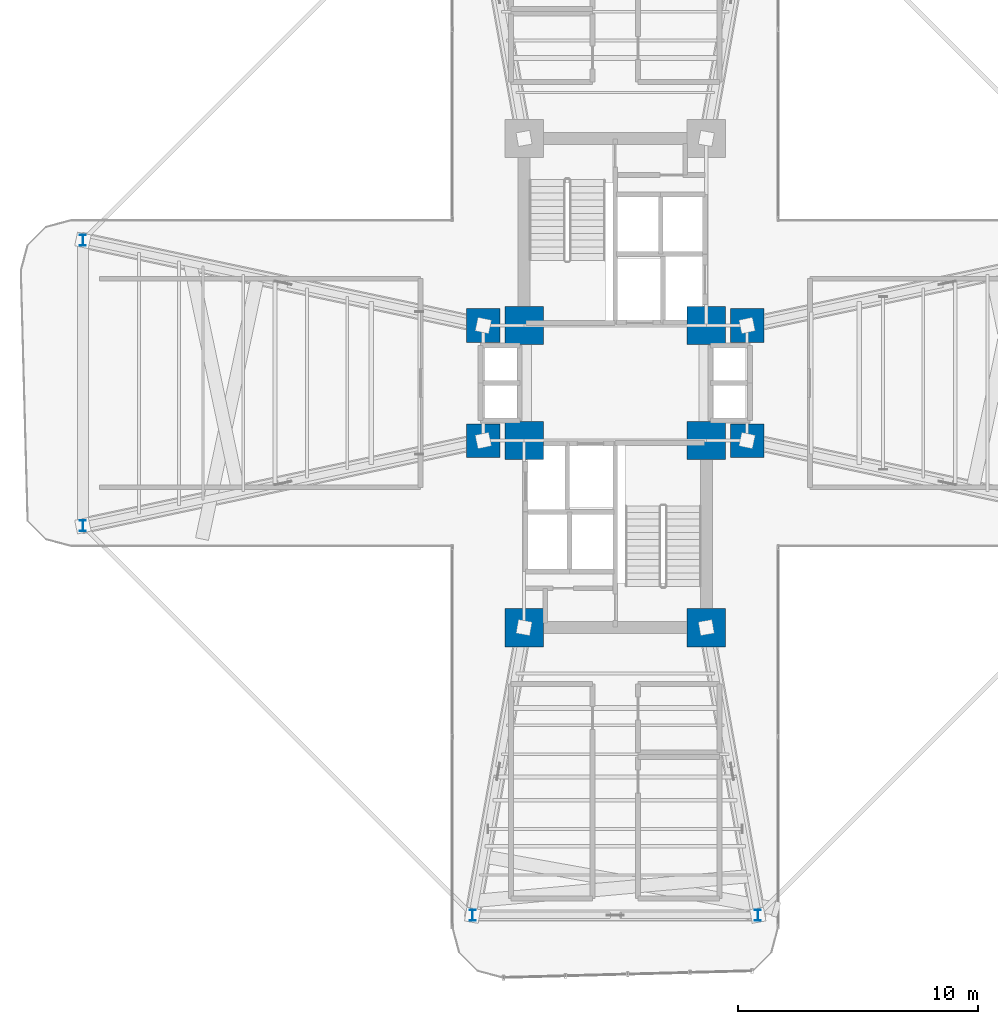
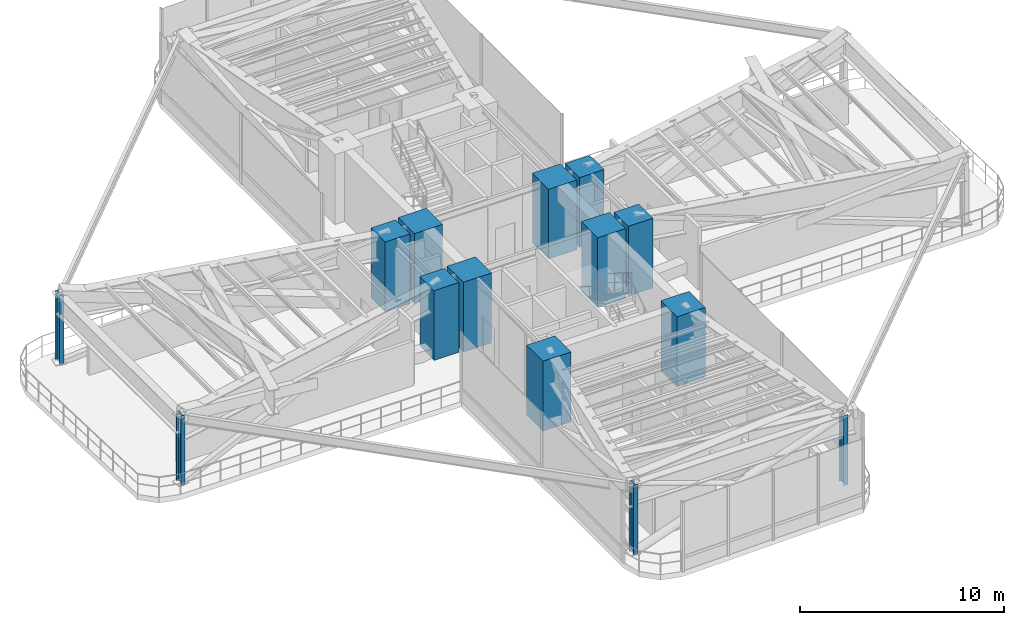
# One storey, part 1 of 18: 14 columns.
"""IFC4 building model written with IfcOpenShell, lengths in metres."""

from ifc_helpers import new_model, si_unit, direction, frame, origin, origin_2d, place, context, subcontext, project, spatial, rectangle, i_section, extrude, source, transform, mapped, material, material_profile, profile_set, type_object, element, save


model = new_model("IFC4")

# Units and contexts
model_context = context("Model", 3, precision=1e-05, world=origin(), true_north=direction((0.0, 1.0)))
body_context = subcontext(model_context, "Body", "Model", "MODEL_VIEW")
ifc_project = project(units=[si_unit("LENGTHUNIT", "METRE"), si_unit("AREAUNIT", "SQUARE_METRE"), si_unit("VOLUMEUNIT", "CUBIC_METRE"), si_unit("PLANEANGLEUNIT", "RADIAN"), si_unit("MASSUNIT", "GRAM", prefix="KILO")], contexts=[model_context])

# Site, building, storey
site_placement = place(None, origin())
site = spatial("IfcSite", under=ifc_project, at=site_placement, CompositionType="ELEMENT")
building_placement = place(site_placement, origin())
building = spatial("IfcBuilding", under=site, at=building_placement, Name="Sahyath Konkavel Grand Hotel", CompositionType="ELEMENT")
storey_placement = place(building_placement, frame((0.0, 0.0, 74.5)))
storey = spatial("IfcBuildingStorey", under=building, at=storey_placement, Name="L20", CompositionType="ELEMENT", Elevation=74.5)

# Columns
ifc_material_1 = material(Name="Concrete C70/85", Category="concrete")
ifc_material_profile_1 = material_profile(ifc_material_1, rectangle(XDim=1.60009765625, YDim=1.60009765625, at=origin_2d()), Name="RC 1600x1600")
ifc_profile_set_1 = profile_set([ifc_material_profile_1], Name="Concrete C70/85")
column_type_1 = type_object("IfcColumnType", Name="COL-RC1600", PredefinedType="COLUMN", material=ifc_profile_set_1)
shared_shape_1 = source(origin(), body_context, "Body", "SweptSolid", [
    extrude(rectangle(XDim=1.60009765625, YDim=1.60009765625, at=origin_2d()), origin(), (0.0, 0.0, 1.0), 4.179931640625),
])
for number, where, z_axis, x_axis, name in (
    (1, (-3.800048828125, 2.39990234375, 0.0), (0.0, 0.0, 1.0), (1.0, 0.0, 0.0), "L20 Core Boundary Column NC-SW"),
    (2, (3.800048828125, 2.39990234375, 0.0), (0.0, 0.0, 1.0), (1.0, 0.0, 0.0), "L20 Core Boundary Column NC-SE"),
    (3, (-3.800048828125, -2.39990234375, 0.0), (0.0, 0.0, 1.0), (1.0, 0.0, 0.0), "L20 Core Boundary Column SC-NW"),
    (4, (3.800048828125, -2.39990234375, 0.0), (0.0, 0.0, 1.0), (1.0, 0.0, 0.0), "L20 Core Boundary Column SC-NE"),
    (5, (-3.800048828125, -10.199951171875, 0.0), (0.0, 0.0, 1.0), (1.0, 0.0, 0.0), "L20 Core Boundary Column SC-SW"),
    (6, (3.800048828125, -10.199951171875, 0.0), (0.0, 0.0, 1.0), (1.0, 0.0, 0.0), "L20 Core Boundary Column SC-SE"),
):
    element("IfcColumn", number, at=place(storey_placement, frame(where, z_axis=z_axis, x_axis=x_axis)), inside=storey, type_object=column_type_1, Name=name, PredefinedType="COLUMN", context=body_context, shape_type="MappedRepresentation", body=[
        mapped(shared_shape_1, transform((0.0, 0.0, 0.0), scale=1.0)),
    ])
ifc_material_profile_2 = material_profile(ifc_material_1, rectangle(XDim=1.39990234375, YDim=1.39990234375, at=origin_2d()), Name="RC 1400x1400")
ifc_profile_set_2 = profile_set([ifc_material_profile_2], Name="Concrete C70/85")
column_type_2 = type_object("IfcColumnType", Name="COL-RC1400", PredefinedType="COLUMN", material=ifc_profile_set_2)
shared_shape_2 = source(origin(), body_context, "Body", "SweptSolid", [
    extrude(rectangle(XDim=1.39990234375, YDim=1.39990234375, at=origin_2d()), origin(), (0.0, 0.0, 1.0), 4.179931640625),
])
for number, where, z_axis, x_axis, name in (
    (7, (5.5, 2.39990234375, 0.0), (0.0, 0.0, 1.0), (1.0, 0.0, 0.0), "L20 Central Spine Column HB-NE"),
    (8, (-5.5, 2.39990234375, 0.0), (0.0, 0.0, 1.0), (1.0, 0.0, 0.0), "L20 Central Spine Column HB-NW"),
    (9, (5.5, -2.39990234375, 0.0), (0.0, 0.0, 1.0), (1.0, 0.0, 0.0), "L20 Central Spine Column HB-SE"),
    (10, (-5.5, -2.39990234375, 0.0), (0.0, 0.0, 1.0), (1.0, 0.0, 0.0), "L20 Central Spine Column HB-SW"),
):
    element("IfcColumn", number, at=place(storey_placement, frame(where, z_axis=z_axis, x_axis=x_axis)), inside=storey, type_object=column_type_2, Name=name, PredefinedType="COLUMN", context=body_context, shape_type="MappedRepresentation", body=[
        mapped(shared_shape_2, transform((0.0, 0.0, 0.0), scale=1.0)),
    ])
ifc_material_2 = material(Name="Steel E450", Category="steel")
ifc_material_profile_3 = material_profile(ifc_material_2, i_section(OverallWidth=0.25, OverallDepth=0.449951171875, WebThickness=0.013671875, FlangeThickness=0.013671875, FilletRadius=0.014892578125, at=origin_2d()), Name="ISHB 450")
ifc_profile_set_3 = profile_set([ifc_material_profile_3], Name="Steel E450")
column_type_3 = type_object("IfcColumnType", Name="COL-ISHB450", PredefinedType="COLUMN", material=ifc_profile_set_3)
shared_shape_3 = source(origin(), body_context, "Body", "SweptSolid", [
    extrude(i_section(OverallWidth=0.25, OverallDepth=0.449951171875, WebThickness=0.013671875, FlangeThickness=0.013671875, FilletRadius=0.014892578125, at=origin_2d()), origin(), (0.0, 0.0, 1.0), 4.179931640625),
])
for number, where, z_axis, x_axis, name in (
    (11, (-22.199951171875, 5.949951171875, 0.0), (0.0, 0.0, 1.0), (1.0, 0.0, 0.0), "L20 Cruciform Wing Column WC-WA"),
    (12, (-22.199951171875, -5.949951171875, 0.0), (0.0, 0.0, 1.0), (1.0, 0.0, 0.0), "L20 Cruciform Wing Column WC-WB"),
    (13, (-5.949951171875, -22.199951171875, 0.0), (0.0, 0.0, 1.0), (1.0, 0.0, 0.0), "L20 Cruciform Wing Column WC-SA"),
    (14, (5.949951171875, -22.199951171875, 0.0), (0.0, 0.0, 1.0), (1.0, 0.0, 0.0), "L20 Cruciform Wing Column WC-SB"),
):
    element("IfcColumn", number, at=place(storey_placement, frame(where, z_axis=z_axis, x_axis=x_axis)), inside=storey, type_object=column_type_3, Name=name, PredefinedType="COLUMN", context=body_context, shape_type="MappedRepresentation", body=[
        mapped(shared_shape_3, transform((0.0, 0.0, 0.0), scale=1.0)),
    ])

save(model, "model.ifc")
